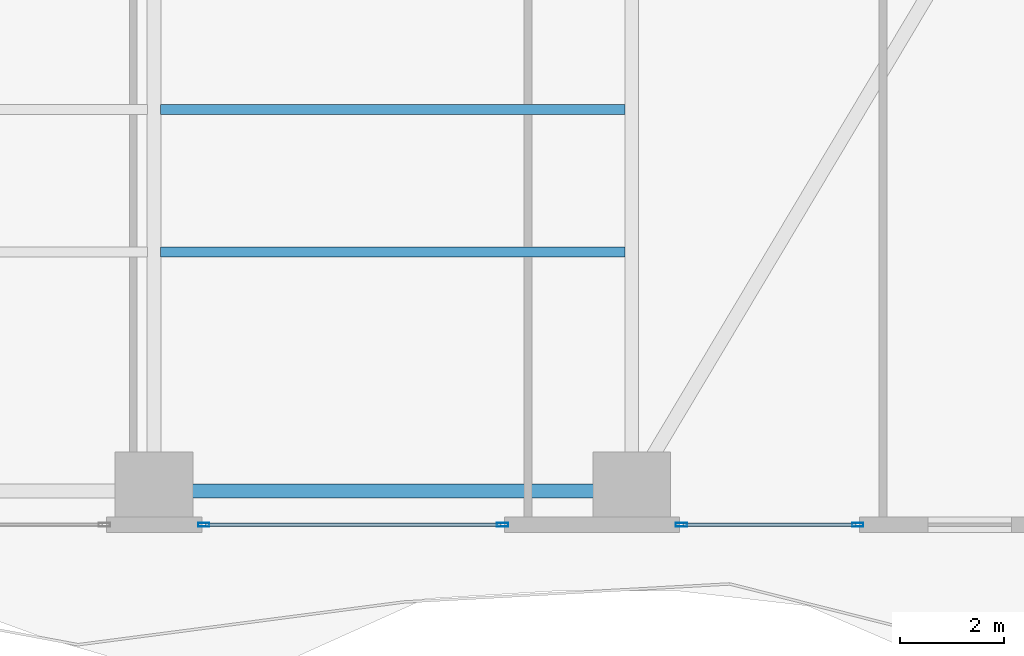
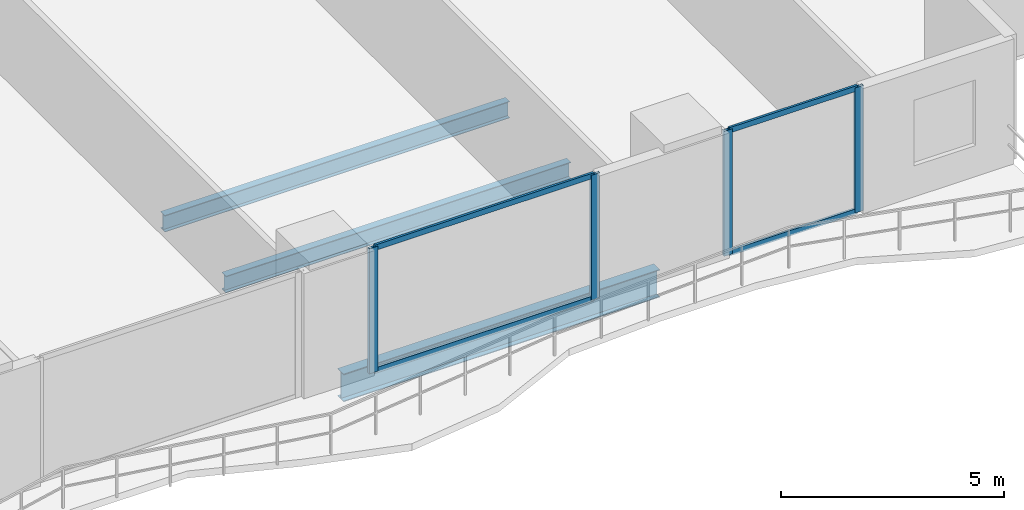
# One storey, part 8 of 28: 8 members, 3 beams, 2 elements without a shape of their own.
"""IFC4 building model written with IfcOpenShell, lengths in metres."""

from ifc_helpers import new_model, si_unit, direction, frame, origin, origin_2d, place, context, subcontext, project, spatial, hollow_rectangle, i_section, extrude, material, layer, layer_set, material_profile, profile_set, type_object, element, aggregate, save


model = new_model("IFC4")

# Units and contexts
model_context = context("Model", 3, precision=1e-05, world=origin(), true_north=direction((0.0, 1.0)))
body_context = subcontext(model_context, "Body", "Model", "MODEL_VIEW")
ifc_project = project(units=[si_unit("LENGTHUNIT", "METRE"), si_unit("AREAUNIT", "SQUARE_METRE"), si_unit("VOLUMEUNIT", "CUBIC_METRE"), si_unit("PLANEANGLEUNIT", "RADIAN"), si_unit("MASSUNIT", "GRAM", prefix="KILO")], contexts=[model_context])

# Site, building, storey
site_placement = place(None, origin())
site = spatial("IfcSite", under=ifc_project, at=site_placement, CompositionType="ELEMENT")
building_placement = place(site_placement, origin())
building = spatial("IfcBuilding", under=site, at=building_placement, Name="Zuhayl Quay Hotel", CompositionType="ELEMENT")
storey_placement = place(building_placement, frame((0.0, 0.0, 49.5)))
storey = spatial("IfcBuildingStorey", under=building, at=storey_placement, Name="L11", CompositionType="ELEMENT", Elevation=49.5)

# Beams
ifc_material_1 = material(Name="Steel ASTM A992 Grade 50", Category="steel")
ifc_material_profile_1 = material_profile(ifc_material_1, i_section(OverallWidth=0.26708984375, OverallDepth=0.761962890625, WebThickness=0.014404296875, FlangeThickness=0.021484375, at=origin_2d()), Name="W30X116")
ifc_profile_set_1 = profile_set([ifc_material_profile_1], Name="Steel ASTM A992 Grade 50")
beam_type_1 = type_object("IfcBeamType", Name="BM_B1_W30X116", PredefinedType="BEAM", material=ifc_profile_set_1)
beam_placement = place(storey_placement, frame((5.10009765625, -22.449951171875, -0.60107421875), z_axis=(1.0, 0.0, 0.0), x_axis=(0.0, 1.0, 0.0)))
element("IfcBeam", 1, at=beam_placement, inside=storey, type_object=beam_type_1, Name="L11 Floor Beam RG_L11_03", PredefinedType="BEAM", context=body_context, shape_type="SweptSolid", body=[
    extrude(i_section(OverallWidth=0.26708984375, OverallDepth=0.761962890625, WebThickness=0.014404296875, FlangeThickness=0.021484375, at=origin_2d()), origin(), (0.0, 0.0, 1.0), 8.199951171875),
])
ifc_material_profile_2 = material_profile(ifc_material_1, i_section(OverallWidth=0.18994140625, OverallDepth=0.45703125, WebThickness=0.009033203125, FlangeThickness=0.014404296875, at=origin_2d()), Name="W18X50")
ifc_profile_set_2 = profile_set([ifc_material_profile_2], Name="Steel ASTM A992 Grade 50")
beam_type_2 = type_object("IfcBeamType", Name="BM_J2_W18X50", PredefinedType="JOIST", material=ifc_profile_set_2)
for number, where, z_axis, x_axis, name in (
    (2, (4.7255859375, -17.85009765625, -0.448486328125), (1.0, 0.0, 0.0), (0.0, 1.0, 0.0), "L11 Floor Beam FJ_L11_3_3"),
    (3, (4.7255859375, -15.10009765625, -0.448486328125), (1.0, 0.0, 0.0), (0.0, 1.0, 0.0), "L11 Floor Beam FJ_L11_4_3"),
):
    element("IfcBeam", number, at=place(storey_placement, frame(where, z_axis=z_axis, x_axis=x_axis)), inside=storey, type_object=beam_type_2, Name=name, PredefinedType="JOIST", context=body_context, shape_type="SweptSolid", body=[
        extrude(i_section(OverallWidth=0.18994140625, OverallDepth=0.45703125, WebThickness=0.009033203125, FlangeThickness=0.014404296875, at=origin_2d()), origin(), (0.0, 0.0, 1.0), 8.948974609375),
    ])

# Curtain wall, members
ifc_material_2 = material(Name="Anodised Aluminium 6063-T6", Category="aluminium")
ifc_layer = layer(ifc_material_2, 0.18994140625, Name="Anodised Aluminium 6063-T6", Category="aluminium")
ifc_layer_set = layer_set([ifc_layer], Name="Anodised Aluminium 6063-T6")
curtain_wall_type = type_object("IfcCurtainWallType", Name="CW_SYS_Z1", PredefinedType="USERDEFINED", material=ifc_layer_set)
curtain_wall_1_placement = place(storey_placement, origin())
curtain_wall_1 = element("IfcCurtainWall", 4, at=curtain_wall_1_placement, inside=storey, type_object=curtain_wall_type, Name="L11 Curtain Wall ENV_L11_S_CW1", ObjectType="UNITISED CURTAIN WALL", PredefinedType="USERDEFINED")
ifc_material_3 = material(Name="Black-anodised aluminium 6063-T6", Category="aluminium")
ifc_material_profile_3 = material_profile(ifc_material_3, hollow_rectangle(XDim=0.074951171875, YDim=0.219970703125, WallThickness=0.00390625, at=origin_2d()), Name="ALU220X75")
ifc_profile_set_3 = profile_set([ifc_material_profile_3], Name="Black-anodised aluminium 6063-T6")
member_type_1 = type_object("IfcMemberType", Name="MB_CW_MUL_220", PredefinedType="MULLION", material=ifc_profile_set_3)
member_1_placement = place(storey_placement, frame((18.152587890625, -23.10009765625, 0.0), z_axis=(0.0, 0.0, 1.0), x_axis=(0.0, -1.0, 0.0)))
member_1 = element("IfcMember", 5, at=member_1_placement, type_object=member_type_1, Name="CW-Z1 mullion 1", PredefinedType="MULLION", context=body_context, shape_type="SweptSolid", body=[
    extrude(hollow_rectangle(XDim=0.074951171875, YDim=0.219970703125, WallThickness=0.00390625, at=origin_2d()), origin(), (0.0, 0.0, 1.0), 3.429931640625),
])
member_2_placement = place(storey_placement, frame((14.757568359375, -23.10009765625, 0.0), z_axis=(0.0, 0.0, 1.0), x_axis=(0.0, -1.0, 0.0)))
member_2 = element("IfcMember", 6, at=member_2_placement, type_object=member_type_1, Name="CW-Z1 mullion 2", PredefinedType="MULLION", context=body_context, shape_type="SweptSolid", body=[
    extrude(hollow_rectangle(XDim=0.074951171875, YDim=0.219970703125, WallThickness=0.00390625, at=origin_2d()), origin(), (0.0, 0.0, 1.0), 3.429931640625),
])

curtain_wall_2_placement = place(storey_placement, origin())
curtain_wall_2 = element("IfcCurtainWall", 7, at=curtain_wall_2_placement, inside=storey, type_object=curtain_wall_type, Name="L11 Curtain Wall ENV_L11_S_CW2", ObjectType="UNITISED CURTAIN WALL", PredefinedType="USERDEFINED")
member_3_placement = place(storey_placement, frame((11.3125, -23.10009765625, 0.0), z_axis=(0.0, 0.0, 1.0), x_axis=(0.0, -1.0, 0.0)))
member_3 = element("IfcMember", 8, at=member_3_placement, type_object=member_type_1, Name="CW-Z1 mullion 1", PredefinedType="MULLION", context=body_context, shape_type="SweptSolid", body=[
    extrude(hollow_rectangle(XDim=0.074951171875, YDim=0.219970703125, WallThickness=0.00390625, at=origin_2d()), origin(), (0.0, 0.0, 1.0), 3.429931640625),
])
member_4_placement = place(storey_placement, frame((5.5576171875, -23.10009765625, 0.0), z_axis=(0.0, 0.0, 1.0), x_axis=(0.0, -1.0, 0.0)))
member_4 = element("IfcMember", 9, at=member_4_placement, type_object=member_type_1, Name="CW-Z1 mullion 2", PredefinedType="MULLION", context=body_context, shape_type="SweptSolid", body=[
    extrude(hollow_rectangle(XDim=0.074951171875, YDim=0.219970703125, WallThickness=0.00390625, at=origin_2d()), origin(), (0.0, 0.0, 1.0), 3.429931640625),
])

# Member
ifc_material_profile_4 = material_profile(ifc_material_3, hollow_rectangle(XDim=0.06005859375, YDim=0.14990234375, WallThickness=0.00341796875, at=origin_2d()), Name="ALU150X60")
ifc_profile_set_4 = profile_set([ifc_material_profile_4], Name="Black-anodised aluminium 6063-T6")
member_type_2 = type_object("IfcMemberType", Name="MB_CW_TRN_150", PredefinedType="USERDEFINED", material=ifc_profile_set_4)
member_5_placement = place(storey_placement, frame((18.114990234375, -23.10009765625, 0.030029296875), z_axis=(-1.0, 0.0, 0.0), x_axis=(0.0, -1.0, 0.0)))
member_5 = element("IfcMember", 10, at=member_5_placement, type_object=member_type_2, Name="CW-Z1 transom 1.1", ObjectType="TRANSOM", PredefinedType="USERDEFINED", context=body_context, shape_type="SweptSolid", body=[
    extrude(hollow_rectangle(XDim=0.06005859375, YDim=0.14990234375, WallThickness=0.00341796875, at=origin_2d()), origin(), (0.0, 0.0, 1.0), 3.320068359375),
])

member_6_placement = place(storey_placement, frame((18.114990234375, -23.10009765625, 3.39990234375), z_axis=(-1.0, 0.0, 0.0), x_axis=(0.0, -1.0, 0.0)))
member_6 = element("IfcMember", 11, at=member_6_placement, type_object=member_type_2, Name="CW-Z1 transom 1.2", ObjectType="TRANSOM", PredefinedType="USERDEFINED", context=body_context, shape_type="SweptSolid", body=[
    extrude(hollow_rectangle(XDim=0.06005859375, YDim=0.14990234375, WallThickness=0.00341796875, at=origin_2d()), origin(), (0.0, 0.0, 1.0), 3.320068359375),
])

aggregate(curtain_wall_1, [member_1, member_2, member_5, member_6])

member_7_placement = place(storey_placement, frame((11.27490234375, -23.10009765625, 0.030029296875), z_axis=(-1.0, 0.0, 0.0), x_axis=(0.0, -1.0, 0.0)))
member_7 = element("IfcMember", 12, at=member_7_placement, type_object=member_type_2, Name="CW-Z1 transom 1.1", ObjectType="TRANSOM", PredefinedType="USERDEFINED", context=body_context, shape_type="SweptSolid", body=[
    extrude(hollow_rectangle(XDim=0.06005859375, YDim=0.14990234375, WallThickness=0.00341796875, at=origin_2d()), origin(), (0.0, 0.0, 1.0), 5.679931640625),
])

member_8_placement = place(storey_placement, frame((11.27490234375, -23.10009765625, 3.39990234375), z_axis=(-1.0, 0.0, 0.0), x_axis=(0.0, -1.0, 0.0)))
member_8 = element("IfcMember", 13, at=member_8_placement, type_object=member_type_2, Name="CW-Z1 transom 1.2", ObjectType="TRANSOM", PredefinedType="USERDEFINED", context=body_context, shape_type="SweptSolid", body=[
    extrude(hollow_rectangle(XDim=0.06005859375, YDim=0.14990234375, WallThickness=0.00341796875, at=origin_2d()), origin(), (0.0, 0.0, 1.0), 5.679931640625),
])

aggregate(curtain_wall_2, [member_3, member_4, member_7, member_8])

save(model, "model.ifc")
